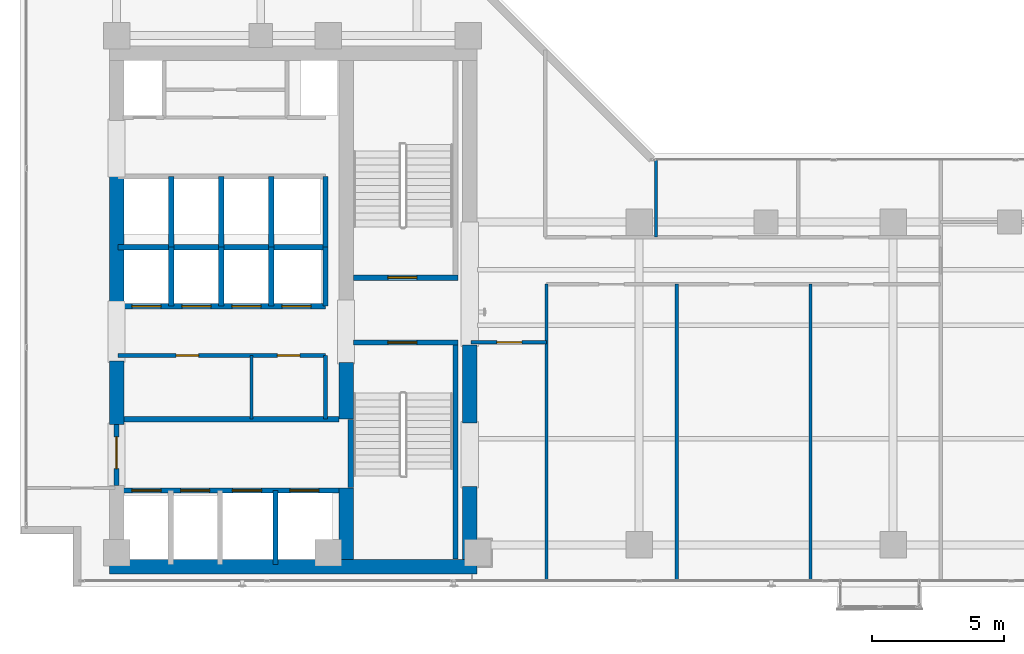
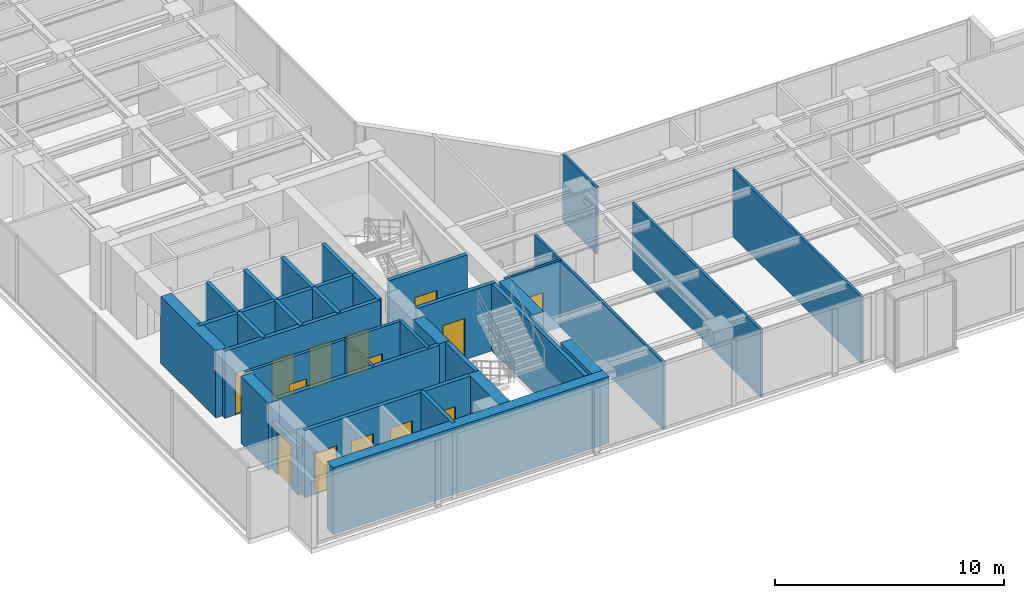
# One storey, part 17 of 24: 33 walls, 14 doors, 14 openings.
"""IFC4 building model written with IfcOpenShell, lengths in metres."""

import ifcopenshell
import ifcopenshell.guid

model = None  # the IFC model being written
_history = None  # IfcOwnerHistory: only IFC2X3 demands one
_inside = {}  # id of a spatial element -> (the spatial element, [elements in it])
_under = {}  # id of a project, library or spatial element -> (it, [spatial elements below it])
_declared = {}  # id of a project -> (the project, [libraries it declares])
_typed = {}  # id of a type object -> (the type object, [elements of that type])
_made_of = {}  # id of a material, layer set ... -> (it, [elements and type objects made of it])


def new_model(schema):
    """Start an empty IFC model of exactly this schema.

    Asked for "IFC4X3", IfcOpenShell would pick the latest addendum, in which some entities
    have other attributes; the version numbers below select the first issue.
    IFC2X3 requires an IfcOwnerHistory on every rooted entity: one is made here for all.
    """
    global model, _history
    if schema == "IFC4X3":
        model = ifcopenshell.file(schema_version=(4, 3, 0, 0))
    else:
        model = ifcopenshell.file(schema=schema)
    _inside.clear()
    _under.clear()
    _declared.clear()
    _typed.clear()
    _made_of.clear()
    _history = None
    if model.schema == "IFC2X3":
        org = make("IfcOrganization", Name="unknown")
        user = make(
            "IfcPersonAndOrganization",
            ThePerson=make("IfcPerson", FamilyName="unknown"),
            TheOrganization=org,
        )
        app = make(
            "IfcApplication",
            ApplicationDeveloper=org,
            Version="unknown",
            ApplicationFullName="unknown",
            ApplicationIdentifier="unknown",
        )
        _history = make(
            "IfcOwnerHistory",
            OwningUser=user,
            OwningApplication=app,
            ChangeAction="ADDED",
            CreationDate=0,
        )
    return model


def make(cls, **values):
    """One entity of the class cls with the attributes given. An attribute that is None is left unset."""
    return model.create_entity(
        cls, **{name: value for name, value in values.items() if value is not None}
    )


def rooted(cls, **values):
    """An entity with a GlobalId (a new one), such as an element, a storey or a relation."""
    return make(cls, GlobalId=ifcopenshell.guid.new(), OwnerHistory=_history, **values)


def si_unit(unit_type, name, prefix=None):
    """IfcSIUnit, for example si_unit("LENGTHUNIT", "METRE", prefix="MILLI")."""
    return make("IfcSIUnit", UnitType=unit_type, Prefix=prefix, Name=name)


def assignment(units):
    """IfcUnitAssignment: the units of a project."""
    return None if units is None else make("IfcUnitAssignment", Units=units)


def point(xyz):
    """IfcCartesianPoint."""
    return None if xyz is None else make("IfcCartesianPoint", Coordinates=xyz)


def direction(xyz):
    """IfcDirection."""
    return None if xyz is None else make("IfcDirection", DirectionRatios=xyz)


def frame(location, z_axis=None, x_axis=None):
    """IfcAxis2Placement3D, a coordinate frame: its origin and axes. An axis left out is left unset."""
    return make(
        "IfcAxis2Placement3D",
        Location=point(location),
        Axis=direction(z_axis),
        RefDirection=direction(x_axis),
    )


def frame_2d(location, x_axis=None):
    """IfcAxis2Placement2D, a coordinate frame in the plane: its origin and x axis."""
    return make(
        "IfcAxis2Placement2D", Location=point(location), RefDirection=direction(x_axis)
    )


def origin():
    """The frame at (0, 0, 0) with its axes left unset."""
    return frame((0.0, 0.0, 0.0))


def place(relative_to, where):
    """IfcLocalPlacement: puts the frame where relative to a parent placement (None: the world)."""
    return make(
        "IfcLocalPlacement", PlacementRelTo=relative_to, RelativePlacement=where
    )


def context(
    kind, dimensions, precision=None, world=None, true_north=None, identifier=None
):
    """IfcGeometricRepresentationContext, for example the 3D "Model" context."""
    return make(
        "IfcGeometricRepresentationContext",
        ContextIdentifier=identifier,
        ContextType=kind,
        CoordinateSpaceDimension=dimensions,
        Precision=precision,
        WorldCoordinateSystem=world,
        TrueNorth=true_north,
    )


def subcontext(parent, identifier, kind, view, scale=None):
    """IfcGeometricRepresentationSubContext, for example "Body" below "Model"."""
    return make(
        "IfcGeometricRepresentationSubContext",
        ContextIdentifier=identifier,
        ContextType=kind,
        ParentContext=parent,
        TargetScale=scale,
        TargetView=view,
    )


def project(units=None, contexts=None):
    """IfcProject with its units and contexts."""
    return rooted(
        "IfcProject",
        Name="project",
        RepresentationContexts=contexts,
        UnitsInContext=assignment(units),
    )


def spatial(cls, under=None, at=None, **own):
    """A site, building, storey or space (cls), placed at a placement, below another one or the project."""
    s = rooted(cls, ObjectPlacement=at, **own)
    if under is not None:
        _under.setdefault(under.id(), (under, []))[1].append(s)
    return s


def profile(cls, at=None, kind="AREA", **sizes):
    """A parametric profile (cls). Its sizes go by their IFC names, for example OverallWidth=200.0."""
    return make(cls, ProfileType=kind, Position=at, **sizes)


def rectangle(**sizes):
    """IfcRectangleProfileDef."""
    return profile("IfcRectangleProfileDef", **sizes)


def extrude(swept, where, along, depth):
    """IfcExtrudedAreaSolid: the profile swept, set in the frame where, extruded along a direction by depth."""
    return make(
        "IfcExtrudedAreaSolid",
        SweptArea=swept,
        Position=where,
        ExtrudedDirection=direction(along),
        Depth=depth,
    )


def shape(context_of_items, identifier, shape_type, items):
    """IfcShapeRepresentation: the items that make up one representation, for example the "Body"."""
    return make(
        "IfcShapeRepresentation",
        ContextOfItems=context_of_items,
        RepresentationIdentifier=identifier,
        RepresentationType=shape_type,
        Items=items,
    )


def material(Name=None, Category=None):
    """IfcMaterial."""
    return make("IfcMaterial", Name=Name, Category=Category)


def layer(
    of_material, thickness, ventilated=None, Name=None, Category=None, Priority=None
):
    """IfcMaterialLayer: one layer of a wall or slab, of a material (None: an air gap)."""
    return make(
        "IfcMaterialLayer",
        Material=of_material,
        LayerThickness=thickness,
        IsVentilated=ventilated,
        Name=Name,
        Category=Category,
        Priority=Priority,
    )


def layer_set(layers, Name=None):
    """IfcMaterialLayerSet."""
    return make("IfcMaterialLayerSet", MaterialLayers=layers, LayerSetName=Name)


def made_of(thing, what):
    """Note that an element or type object is made of a material, layer set ...; save() writes the relation."""
    if what is not None:
        _made_of.setdefault(what.id(), (what, []))[1].append(thing)
    return thing


def type_object(cls, material=None, **own):
    """A type object (cls), such as IfcWallType, which elements share."""
    return made_of(rooted(cls, **own), material)


def element(
    cls,
    number,
    at=None,
    inside=None,
    cuts=None,
    type_object=None,
    material=None,
    context=None,
    identifier="Body",
    shape_type=None,
    held_by="IfcProductDefinitionShape",
    body=None,
    shapes=None,
    **own,
):
    """One element of the class cls, such as IfcWall. Its Tag is "e" and its number.

    at: its placement. inside: the storey or other place that contains it. cuts: it is an
    opening in that element (IfcRelVoidsElement). A single representation is given by context,
    identifier, shape_type and body (its items); several are given by shapes. held_by: the class
    of the entity that holds the representations. save() writes the other relations.
    """
    e = rooted(cls, Tag="e%d" % number, ObjectPlacement=at, **own)
    if body is not None:
        shapes = [shape(context, identifier, shape_type, body)]
    if shapes is not None:
        e.Representation = make(held_by, Representations=shapes)
    if inside is not None:
        _inside.setdefault(inside.id(), (inside, []))[1].append(e)
    if cuts is not None:
        rooted(
            "IfcRelVoidsElement", RelatingBuildingElement=cuts, RelatedOpeningElement=e
        )
    if type_object is not None:
        _typed.setdefault(type_object.id(), (type_object, []))[1].append(e)
    return made_of(e, material)


def fill(opening, filler):
    """IfcRelFillsElement: the door or window that sits in an opening."""
    return rooted(
        "IfcRelFillsElement",
        RelatingOpeningElement=opening,
        RelatedBuildingElement=filler,
    )


def aggregate(whole, parts):
    """IfcRelAggregates: a whole, such as a stair, and the parts it consists of."""
    return rooted("IfcRelAggregates", RelatingObject=whole, RelatedObjects=parts)


def save(model, path):
    """Write the relations noted so far, then the file.

    IfcRelAggregates (storeys below a building ...), IfcRelContainedInSpatialStructure (elements
    in a storey), IfcRelDefinesByType, IfcRelAssociatesMaterial and IfcRelDeclares: one each for
    every whole, place, type object, material and project.
    """
    for whole, parts in _under.values():
        aggregate(whole, parts)
    for where, things in _inside.values():
        rooted(
            "IfcRelContainedInSpatialStructure",
            RelatedElements=things,
            RelatingStructure=where,
        )
    for kind, things in _typed.values():
        rooted("IfcRelDefinesByType", RelatedObjects=things, RelatingType=kind)
    for what, things in _made_of.values():
        rooted("IfcRelAssociatesMaterial", RelatedObjects=things, RelatingMaterial=what)
    for by, libraries in _declared.values():
        rooted("IfcRelDeclares", RelatingContext=by, RelatedDefinitions=libraries)
    model.write(path)


model = new_model("IFC4")

# Units and contexts
model_context = context("Model", 3, precision=1e-05, world=origin(), true_north=direction((0.0, 1.0)))
body_context = subcontext(model_context, "Body", "Model", "MODEL_VIEW")
ifc_project = project(units=[si_unit("LENGTHUNIT", "METRE"), si_unit("AREAUNIT", "SQUARE_METRE"), si_unit("VOLUMEUNIT", "CUBIC_METRE"), si_unit("PLANEANGLEUNIT", "RADIAN"), si_unit("MASSUNIT", "GRAM", prefix="KILO")], contexts=[model_context])

# Site, building, storey
site_placement = place(None, origin())
site = spatial("IfcSite", under=ifc_project, at=site_placement, CompositionType="ELEMENT")
building_placement = place(site_placement, origin())
building = spatial("IfcBuilding", under=site, at=building_placement, Name="Kolvaren Waterfront Exchange", CompositionType="ELEMENT")
storey_placement = place(building_placement, frame((0.0, 0.0, 208.300048828125)))
storey = spatial("IfcBuildingStorey", under=building, at=storey_placement, Name="L53", CompositionType="ELEMENT", Elevation=208.300048828125)

# Wall, opening, door
ifc_material_1 = material(Name="Precast concrete C40/50", Category="concrete")
ifc_layer_1 = layer(ifc_material_1, 0.199951171875, Name="Precast concrete C40/50")
ifc_layer_set_1 = layer_set([ifc_layer_1], Name="Precast concrete C40/50")
wall_type_1 = type_object("IfcWallType", Name="ARC-FIRE-200", PredefinedType="PARTITIONING", material=ifc_layer_set_1)
wall_1_placement = place(storey_placement, frame((16.39990234375, 12.85009765625, 0.0), z_axis=(0.0, 0.0, 1.0), x_axis=(1.0, 0.0, 0.0)))
wall_1 = element("IfcWall", 1, at=wall_1_placement, inside=storey, type_object=wall_type_1, Name="L53 interior wall PW-L53-ST1-THROAT-S", PredefinedType="PARTITIONING", context=body_context, shape_type="SweptSolid", body=[
    extrude(rectangle(XDim=3.960205078125, YDim=0.199951171875, at=frame_2d((1.97998046875, 0.0))), origin(), (0.0, 0.0, 1.0), 3.56005859375),
])
opening_1_placement = place(wall_1_placement, frame((1.3037109375, 0.0, 0.0)))
opening_1 = element("IfcOpeningElement", 2, at=opening_1_placement, cuts=wall_1, Name="Opening FD2", PredefinedType="OPENING", context=body_context, shape_type="SweptSolid", body=[
    extrude(rectangle(XDim=1.10009765625, YDim=2.199951171875, at=frame_2d((0.550048828125, 1.10009765625))), frame((0.0, 0.10986328125, 0.0), z_axis=(0.0, -1.0, 0.0), x_axis=(1.0, 0.0, 0.0)), (0.0, 0.0, 1.0), 0.219970703125),
])
ifc_material_2 = material(Name="Pressed steel smoke-seal fire door", Category="steel")
door_type_1 = type_object("IfcDoorType", Name="ARC-FD-1100", OperationType="NOTDEFINED", PredefinedType="DOOR", material=ifc_material_2)
door_1_placement = place(opening_1_placement, frame((1.10009765625, 0.0, 0.0), z_axis=(0.0, 0.0, 1.0), x_axis=(-1.0, 0.0, 0.0)))
door_1 = element("IfcDoor", 3, at=door_1_placement, inside=storey, type_object=door_type_1, Name="L53 door DR-L53-ST1-IN (FD2)", OperationType="SINGLE_SWING_LEFT", OverallHeight=2.199951171875, OverallWidth=1.10009765625, PredefinedType="DOOR", context=body_context, shape_type="SweptSolid", body=[
    extrude(rectangle(XDim=1.10009765625, YDim=2.199951171875, at=frame_2d((0.550048828125, 1.10009765625))), frame((0.0, 0.02490234375, 0.0), z_axis=(0.0, -1.0, 0.0), x_axis=(1.0, 0.0, 0.0)), (0.0, 0.0, 1.0), 0.050048828125),
])
fill(opening_1, door_1)

wall_2_placement = place(storey_placement, frame((16.409912109375, 15.300048828125, 0.0), z_axis=(0.0, 0.0, 1.0), x_axis=(1.0, 0.0, 0.0)))
wall_2 = element("IfcWall", 4, at=wall_2_placement, inside=storey, type_object=wall_type_1, Name="L53 interior wall PW-L53-ST2-THROAT-N", PredefinedType="PARTITIONING", context=body_context, shape_type="SweptSolid", body=[
    extrude(rectangle(XDim=3.9501953125, YDim=0.199951171875, at=frame_2d((1.97509765625, 0.0))), origin(), (0.0, 0.0, 1.0), 3.56005859375),
])
opening_2_placement = place(wall_2_placement, frame((1.293701171875, 0.0, 0.0)))
opening_2 = element("IfcOpeningElement", 5, at=opening_2_placement, cuts=wall_2, Name="Opening FD2", PredefinedType="OPENING", context=body_context, shape_type="SweptSolid", body=[
    extrude(rectangle(XDim=1.10009765625, YDim=2.199951171875, at=frame_2d((0.550048828125, 1.10009765625))), frame((0.0, 0.10986328125, 0.0), z_axis=(0.0, -1.0, 0.0), x_axis=(1.0, 0.0, 0.0)), (0.0, 0.0, 1.0), 0.219970703125),
])
door_2_placement = place(opening_2_placement, origin())
door_2 = element("IfcDoor", 6, at=door_2_placement, inside=storey, type_object=door_type_1, Name="L53 door DR-L53-ST2-IN (FD2)", OperationType="SINGLE_SWING_RIGHT", OverallHeight=2.199951171875, OverallWidth=1.10009765625, PredefinedType="DOOR", context=body_context, shape_type="SweptSolid", body=[
    extrude(rectangle(XDim=1.10009765625, YDim=2.199951171875, at=frame_2d((0.550048828125, 1.10009765625))), frame((0.0, 0.02490234375, 0.0), z_axis=(0.0, -1.0, 0.0), x_axis=(1.0, 0.0, 0.0)), (0.0, 0.0, 1.0), 0.050048828125),
])
fill(opening_2, door_2)

# Wall
wall_3_placement = place(storey_placement, frame((7.5, 9.949951171875, 0.0), z_axis=(0.0, 0.0, 1.0), x_axis=(1.0, 0.0, 0.0)))
element("IfcWall", 7, at=wall_3_placement, inside=storey, type_object=wall_type_1, Name="L53 interior wall PW-L53-FF-N", PredefinedType="PARTITIONING", context=body_context, shape_type="SweptSolid", body=[
    extrude(rectangle(XDim=8.35009765625, YDim=0.199951171875, at=frame_2d((4.175048828125, 0.0))), origin(), (0.0, 0.0, 1.0), 3.56005859375),
])

# Wall, opening, door
wall_4_placement = place(storey_placement, frame((7.449951171875, 7.449951171875, 0.0), z_axis=(0.0, 0.0, 1.0), x_axis=(0.0, 1.0, 0.0)))
wall_4 = element("IfcWall", 8, at=wall_4_placement, inside=storey, type_object=wall_type_1, Name="L53 interior wall PW-L53-FF-W-DOOR", PredefinedType="PARTITIONING", context=body_context, shape_type="SweptSolid", body=[
    extrude(rectangle(XDim=2.300048828125, YDim=0.199951171875, at=frame_2d((1.14990234375, 0.0))), origin(), (0.0, 0.0, 1.0), 2.5400390625),
])
opening_3_placement = place(wall_4_placement, frame((0.63330078125, 0.0, 0.0)))
opening_3 = element("IfcOpeningElement", 9, at=opening_3_placement, cuts=wall_4, Name="Opening FD3", PredefinedType="OPENING", context=body_context, shape_type="SweptSolid", body=[
    extrude(rectangle(XDim=1.199951171875, YDim=2.25, at=frame_2d((0.60009765625, 1.125))), frame((0.0, 0.10986328125, 0.0), z_axis=(0.0, -1.0, 0.0), x_axis=(1.0, 0.0, 0.0)), (0.0, 0.0, 1.0), 0.219970703125),
])
ifc_material_3 = material(Name="Pressed steel fire door", Category="steel")
door_type_2 = type_object("IfcDoorType", Name="ARC-FD-1200", OperationType="NOTDEFINED", PredefinedType="DOOR", material=ifc_material_3)
door_3_placement = place(opening_3_placement, frame((1.199951171875, 0.0, 0.0), z_axis=(0.0, 0.0, 1.0), x_axis=(-1.0, 0.0, 0.0)))
door_3 = element("IfcDoor", 10, at=door_3_placement, inside=storey, type_object=door_type_2, Name="L53 door DR-L53-FF-OUT (FD3)", OperationType="SINGLE_SWING_LEFT", OverallHeight=2.25, OverallWidth=1.199951171875, PredefinedType="DOOR", context=body_context, shape_type="SweptSolid", body=[
    extrude(rectangle(XDim=1.199951171875, YDim=2.25, at=frame_2d((0.60009765625, 1.125))), frame((0.0, 0.02490234375, 0.0), z_axis=(0.0, -1.0, 0.0), x_axis=(1.0, 0.0, 0.0)), (0.0, 0.0, 1.0), 0.050048828125),
])
fill(opening_3, door_3)

# Wall
ifc_material_4 = material(Name="Acoustic gypsum steel stud", Category="steel")
ifc_layer_2 = layer(ifc_material_4, 0.125, Name="Acoustic gypsum steel stud")
ifc_layer_set_2 = layer_set([ifc_layer_2], Name="Acoustic gypsum steel stud")
wall_type_2 = type_object("IfcWallType", Name="ARC-PART-125", PredefinedType="PARTITIONING", material=ifc_layer_set_2)
wall_5_placement = place(storey_placement, frame((12.550048828125, 9.949951171875, 0.0), z_axis=(0.0, 0.0, 1.0), x_axis=(0.0, 1.0, 0.0)))
element("IfcWall", 11, at=wall_5_placement, inside=storey, type_object=wall_type_2, Name="L53 interior wall PW-L53-REC-PL-MID", PredefinedType="PARTITIONING", context=body_context, shape_type="SweptSolid", body=[
    extrude(rectangle(XDim=2.41015625, YDim=0.125, at=frame_2d((1.205078125, 0.0))), origin(), (0.0, 0.0, 1.0), 3.56005859375),
])

# Wall, opening, door
wall_6_placement = place(storey_placement, frame((20.85009765625, 12.860107421875, 0.0), z_axis=(0.0, 0.0, 1.0), x_axis=(1.0, 0.0, 0.0)))
wall_6 = element("IfcWall", 12, at=wall_6_placement, inside=storey, type_object=wall_type_2, Name="L53 interior wall PW-L53-SWST3-N", PredefinedType="PARTITIONING", context=body_context, shape_type="SweptSolid", body=[
    extrude(rectangle(XDim=2.849853515625, YDim=0.125, at=frame_2d((1.4248046875, 0.0))), origin(), (0.0, 0.0, 1.0), 3.56005859375),
])
opening_4_placement = place(wall_6_placement, frame((0.971435546875, 0.0, 0.0)))
opening_4 = element("IfcOpeningElement", 13, at=opening_4_placement, cuts=wall_6, Name="Opening D02", PredefinedType="OPENING", context=body_context, shape_type="SweptSolid", body=[
    extrude(rectangle(XDim=0.949951171875, YDim=2.14990234375, at=frame_2d((0.47509765625, 1.074951171875))), frame((0.0, 0.072509765625, 0.0), z_axis=(0.0, -1.0, 0.0), x_axis=(1.0, 0.0, 0.0)), (0.0, 0.0, 1.0), 0.14501953125),
])
ifc_material_5 = material(Name="Oak veneer acoustic timber", Category="wood")
door_type_3 = type_object("IfcDoorType", Name="ARC-DR-950", OperationType="NOTDEFINED", PredefinedType="DOOR", material=ifc_material_5)
door_4_placement = place(opening_4_placement, origin())
door_4 = element("IfcDoor", 14, at=door_4_placement, inside=storey, type_object=door_type_3, Name="L53 door DR-L53-SWST3-D (D02)", OperationType="SINGLE_SWING_LEFT", OverallHeight=2.14990234375, OverallWidth=0.949951171875, PredefinedType="DOOR", context=body_context, shape_type="SweptSolid", body=[
    extrude(rectangle(XDim=0.949951171875, YDim=2.14990234375, at=frame_2d((0.47509765625, 1.074951171875))), frame((0.0, 0.02490234375, 0.0), z_axis=(0.0, -1.0, 0.0), x_axis=(1.0, 0.0, 0.0)), (0.0, 0.0, 1.0), 0.050048828125),
])
fill(opening_4, door_4)

# Walls
for number, where, z_axis, x_axis, name in (
    (15, (23.699951171875, 3.840087890625, 0.0), (0.0, 0.0, 1.0), (0.0, 1.0, 0.0), "L53 interior wall PW-L53-ES-W0"),
    (16, (28.6201171875, 3.840087890625, 0.0), (0.0, 0.0, 1.0), (0.0, 1.0, 0.0), "L53 interior wall PW-L53-ES-DIV-1"),
    (17, (33.679931640625, 3.840087890625, 0.0), (0.0, 0.0, 1.0), (0.0, 1.0, 0.0), "L53 interior wall PW-L53-ES-DIV-2"),
):
    element("IfcWall", number, at=place(storey_placement, frame(where, z_axis=z_axis, x_axis=x_axis)), inside=storey, type_object=wall_type_2, Name=name, PredefinedType="PARTITIONING", context=body_context, shape_type="SweptSolid", body=[
        extrude(rectangle(XDim=11.2099609375, YDim=0.125, at=frame_2d((5.60498046875, 0.0))), origin(), (0.0, 0.0, 1.0), 3.56005859375),
    ])
wall_7_placement = place(storey_placement, frame((27.840087890625, 16.830078125, 0.0), z_axis=(0.0, 0.0, 1.0), x_axis=(0.0, 1.0, 0.0)))
element("IfcWall", 18, at=wall_7_placement, inside=storey, type_object=wall_type_2, Name="L53 interior wall PW-L53-EN-DIV-1", PredefinedType="PARTITIONING", context=body_context, shape_type="SweptSolid", body=[
    extrude(rectangle(XDim=2.929931640625, YDim=0.125, at=frame_2d((1.46484375, 0.0))), origin(), (0.0, 0.0, 1.0), 3.56005859375),
])

# Wall, openings, doors
ifc_material_6 = material(Name="Gypsum fireboard steel stud", Category="steel")
ifc_layer_3 = layer(ifc_material_6, 0.14990234375, Name="Gypsum fireboard steel stud")
ifc_layer_set_3 = layer_set([ifc_layer_3], Name="Gypsum fireboard steel stud")
wall_type_3 = type_object("IfcWallType", Name="ARC-PART-150", PredefinedType="PARTITIONING", material=ifc_layer_set_3)
wall_8_placement = place(storey_placement, frame((7.5, 12.360107421875, 0.0), z_axis=(0.0, 0.0, 1.0), x_axis=(1.0, 0.0, 0.0)))
wall_8 = element("IfcWall", 19, at=wall_8_placement, inside=storey, type_object=wall_type_3, Name="L53 interior wall PW-L53-REC-PL-N", PredefinedType="PARTITIONING", context=body_context, shape_type="SweptSolid", body=[
    extrude(rectangle(XDim=7.85009765625, YDim=0.14990234375, at=frame_2d((3.925048828125, 0.0))), origin(), (0.0, 0.0, 1.0), 3.56005859375),
])
opening_5_placement = place(wall_8_placement, frame((2.202392578125, 0.0, 0.0)))
opening_5 = element("IfcOpeningElement", 20, at=opening_5_placement, cuts=wall_8, Name="Opening D01", PredefinedType="OPENING", context=body_context, shape_type="SweptSolid", body=[
    extrude(rectangle(XDim=0.85009765625, YDim=2.14990234375, at=frame_2d((0.425048828125, 1.074951171875))), frame((0.0, 0.0849609375, 0.0), z_axis=(0.0, -1.0, 0.0), x_axis=(1.0, 0.0, 0.0)), (0.0, 0.0, 1.0), 0.169921875),
])
opening_6_placement = place(wall_8_placement, frame((6.02490234375, 0.0, 0.0)))
opening_6 = element("IfcOpeningElement", 21, at=opening_6_placement, cuts=wall_8, Name="Opening D01", PredefinedType="OPENING", context=body_context, shape_type="SweptSolid", body=[
    extrude(rectangle(XDim=0.85009765625, YDim=2.14990234375, at=frame_2d((0.425048828125, 1.074951171875))), frame((0.0, 0.0849609375, 0.0), z_axis=(0.0, -1.0, 0.0), x_axis=(1.0, 0.0, 0.0)), (0.0, 0.0, 1.0), 0.169921875),
])
ifc_material_7 = material(Name="Oak veneer timber leaf", Category="wood")
door_type_4 = type_object("IfcDoorType", Name="ARC-DR-900", OperationType="NOTDEFINED", PredefinedType="DOOR", material=ifc_material_7)
door_5_placement = place(opening_5_placement, origin())
door_5 = element("IfcDoor", 22, at=door_5_placement, inside=storey, type_object=door_type_4, Name="L53 door DR-L53-REC-PL-D1 (D01)", OperationType="SINGLE_SWING_RIGHT", OverallHeight=2.14990234375, OverallWidth=0.85009765625, PredefinedType="DOOR", context=body_context, shape_type="SweptSolid", body=[
    extrude(rectangle(XDim=0.85009765625, YDim=2.14990234375, at=frame_2d((0.425048828125, 1.074951171875))), frame((0.0, 0.02490234375, 0.0), z_axis=(0.0, -1.0, 0.0), x_axis=(1.0, 0.0, 0.0)), (0.0, 0.0, 1.0), 0.050048828125),
])
fill(opening_5, door_5)
door_6_placement = place(opening_6_placement, origin())
door_6 = element("IfcDoor", 23, at=door_6_placement, inside=storey, type_object=door_type_4, Name="L53 door DR-L53-REC-PL-D2 (D01)", OperationType="SINGLE_SWING_LEFT", OverallHeight=2.14990234375, OverallWidth=0.85009765625, PredefinedType="DOOR", context=body_context, shape_type="SweptSolid", body=[
    extrude(rectangle(XDim=0.85009765625, YDim=2.14990234375, at=frame_2d((0.425048828125, 1.074951171875))), frame((0.0, 0.02490234375, 0.0), z_axis=(0.0, -1.0, 0.0), x_axis=(1.0, 0.0, 0.0)), (0.0, 0.0, 1.0), 0.050048828125),
])
fill(opening_6, door_6)

# Walls
wall_9_placement = place(storey_placement, frame((15.35009765625, 9.949951171875, 0.0), z_axis=(0.0, 0.0, 1.0), x_axis=(0.0, 1.0, 0.0)))
element("IfcWall", 24, at=wall_9_placement, inside=storey, type_object=wall_type_3, Name="L53 interior wall PW-L53-REC-PL-E", PredefinedType="PARTITIONING", context=body_context, shape_type="SweptSolid", body=[
    extrude(rectangle(XDim=2.41015625, YDim=0.14990234375, at=frame_2d((1.205078125, 0.0))), origin(), (0.0, 0.0, 1.0), 3.56005859375),
])
ifc_material_8 = material(Name="Concrete C40/50", Category="concrete")
ifc_layer_4 = layer(ifc_material_8, 0.199951171875, Name="Concrete C40/50")
ifc_layer_set_4 = layer_set([ifc_layer_4], Name="Concrete C40/50")
wall_type_4 = type_object("IfcWallType", Name="ARC-SHAFT-200", PredefinedType="PARTITIONING", material=ifc_layer_set_4)
wall_10_placement = place(storey_placement, frame((16.300048828125, 7.360107421875, 0.0), z_axis=(0.0, 0.0, 1.0), x_axis=(0.0, 1.0, 0.0)))
element("IfcWall", 25, at=wall_10_placement, inside=storey, type_object=wall_type_4, Name="L53 structural stairwell wall PW-L53-ST1-W", PredefinedType="SHEAR", context=body_context, shape_type="SweptSolid", body=[
    extrude(rectangle(XDim=2.579833984375, YDim=0.199951171875, at=frame_2d((1.2900390625, 0.0))), origin(), (0.0, 0.0, 1.0), 3.56005859375),
])
wall_11_placement = place(storey_placement, frame((20.260009765625, 4.659912109375, 0.0), z_axis=(0.0, 0.0, 1.0), x_axis=(0.0, 1.0, 0.0)))
element("IfcWall", 26, at=wall_11_placement, inside=storey, type_object=wall_type_4, Name="L53 structural stairwell wall PW-L53-ST1-E", PredefinedType="SHEAR", context=body_context, shape_type="SweptSolid", body=[
    extrude(rectangle(XDim=8.090087890625, YDim=0.199951171875, at=frame_2d((4.044921875, 0.0))), origin(), (0.0, 0.0, 1.0), 3.56005859375),
])

# Wall, openings, doors
wall_12_placement = place(storey_placement, frame((7.5, 7.25, 0.0), z_axis=(0.0, 0.0, 1.0), x_axis=(1.0, 0.0, 0.0)))
wall_12 = element("IfcWall", 27, at=wall_12_placement, inside=storey, type_object=wall_type_4, Name="L53 interior wall PW-L53-FF-S", PredefinedType="PARTITIONING", context=body_context, shape_type="SweptSolid", body=[
    extrude(rectangle(XDim=8.35009765625, YDim=0.199951171875, at=frame_2d((4.175048828125, 0.0))), origin(), (0.0, 0.0, 1.0), 3.56005859375),
])
opening_7_placement = place(wall_12_placement, frame((0.530029296875, 0.0, 0.0)))
opening_7 = element("IfcOpeningElement", 28, at=opening_7_placement, cuts=wall_12, Name="Opening LD1", PredefinedType="OPENING", context=body_context, shape_type="SweptSolid", body=[
    extrude(rectangle(XDim=1.10009765625, YDim=2.199951171875, at=frame_2d((0.550048828125, 1.10009765625))), frame((0.0, 0.10986328125, 0.0), z_axis=(0.0, -1.0, 0.0), x_axis=(1.0, 0.0, 0.0)), (0.0, 0.0, 1.0), 0.219970703125),
])
opening_8_placement = place(wall_12_placement, frame((2.3701171875, 0.0, 0.0)))
opening_8 = element("IfcOpeningElement", 29, at=opening_8_placement, cuts=wall_12, Name="Opening LD1", PredefinedType="OPENING", context=body_context, shape_type="SweptSolid", body=[
    extrude(rectangle(XDim=1.10009765625, YDim=2.199951171875, at=frame_2d((0.550048828125, 1.10009765625))), frame((0.0, 0.10986328125, 0.0), z_axis=(0.0, -1.0, 0.0), x_axis=(1.0, 0.0, 0.0)), (0.0, 0.0, 1.0), 0.219970703125),
])
opening_9_placement = place(wall_12_placement, frame((4.330078125, 0.0, 0.0)))
opening_9 = element("IfcOpeningElement", 30, at=opening_9_placement, cuts=wall_12, Name="Opening LD1", PredefinedType="OPENING", context=body_context, shape_type="SweptSolid", body=[
    extrude(rectangle(XDim=1.10009765625, YDim=2.199951171875, at=frame_2d((0.550048828125, 1.10009765625))), frame((0.0, 0.10986328125, 0.0), z_axis=(0.0, -1.0, 0.0), x_axis=(1.0, 0.0, 0.0)), (0.0, 0.0, 1.0), 0.219970703125),
])
opening_10_placement = place(wall_12_placement, frame((6.5, 0.0, 0.0)))
opening_10 = element("IfcOpeningElement", 31, at=opening_10_placement, cuts=wall_12, Name="Opening LD1", PredefinedType="OPENING", context=body_context, shape_type="SweptSolid", body=[
    extrude(rectangle(XDim=1.10009765625, YDim=2.199951171875, at=frame_2d((0.550048828125, 1.10009765625))), frame((0.0, 0.10986328125, 0.0), z_axis=(0.0, -1.0, 0.0), x_axis=(1.0, 0.0, 0.0)), (0.0, 0.0, 1.0), 0.219970703125),
])
ifc_material_9 = material(Name="Stainless steel sliding landing door", Category="steel")
door_type_5 = type_object("IfcDoorType", Name="ARC-LD-FF", OperationType="SLIDING_TO_LEFT", PredefinedType="DOOR", material=ifc_material_9)
door_7_placement = place(opening_7_placement, origin())
door_7 = element("IfcDoor", 32, at=door_7_placement, inside=storey, type_object=door_type_5, Name="L53 door LD-L53-FFL1 (LD1)", OperationType="SLIDING_TO_LEFT", OverallHeight=2.199951171875, OverallWidth=1.10009765625, PredefinedType="DOOR", context=body_context, shape_type="SweptSolid", body=[
    extrude(rectangle(XDim=1.10009765625, YDim=2.199951171875, at=frame_2d((0.550048828125, 1.10009765625))), frame((0.0, 0.02490234375, 0.0), z_axis=(0.0, -1.0, 0.0), x_axis=(1.0, 0.0, 0.0)), (0.0, 0.0, 1.0), 0.050048828125),
])
fill(opening_7, door_7)
door_8_placement = place(opening_8_placement, origin())
door_8 = element("IfcDoor", 33, at=door_8_placement, inside=storey, type_object=door_type_5, Name="L53 door LD-L53-FFL2 (LD1)", OperationType="SLIDING_TO_LEFT", OverallHeight=2.199951171875, OverallWidth=1.10009765625, PredefinedType="DOOR", context=body_context, shape_type="SweptSolid", body=[
    extrude(rectangle(XDim=1.10009765625, YDim=2.199951171875, at=frame_2d((0.550048828125, 1.10009765625))), frame((0.0, 0.02490234375, 0.0), z_axis=(0.0, -1.0, 0.0), x_axis=(1.0, 0.0, 0.0)), (0.0, 0.0, 1.0), 0.050048828125),
])
fill(opening_8, door_8)
door_9_placement = place(opening_9_placement, origin())
door_9 = element("IfcDoor", 34, at=door_9_placement, inside=storey, type_object=door_type_5, Name="L53 door LD-L53-GL1 (LD1)", OperationType="SLIDING_TO_LEFT", OverallHeight=2.199951171875, OverallWidth=1.10009765625, PredefinedType="DOOR", context=body_context, shape_type="SweptSolid", body=[
    extrude(rectangle(XDim=1.10009765625, YDim=2.199951171875, at=frame_2d((0.550048828125, 1.10009765625))), frame((0.0, 0.02490234375, 0.0), z_axis=(0.0, -1.0, 0.0), x_axis=(1.0, 0.0, 0.0)), (0.0, 0.0, 1.0), 0.050048828125),
])
fill(opening_9, door_9)
door_10_placement = place(opening_10_placement, origin())
door_10 = element("IfcDoor", 35, at=door_10_placement, inside=storey, type_object=door_type_5, Name="L53 door LD-L53-GL2 (LD1)", OperationType="SLIDING_TO_LEFT", OverallHeight=2.199951171875, OverallWidth=1.10009765625, PredefinedType="DOOR", context=body_context, shape_type="SweptSolid", body=[
    extrude(rectangle(XDim=1.10009765625, YDim=2.199951171875, at=frame_2d((0.550048828125, 1.10009765625))), frame((0.0, 0.02490234375, 0.0), z_axis=(0.0, -1.0, 0.0), x_axis=(1.0, 0.0, 0.0)), (0.0, 0.0, 1.0), 0.050048828125),
])
fill(opening_10, door_10)

# Wall
wall_13_placement = place(storey_placement, frame((13.4599609375, 4.449951171875, 0.0), z_axis=(0.0, 0.0, 1.0), x_axis=(0.0, 1.0, 0.0)))
element("IfcWall", 36, at=wall_13_placement, inside=storey, type_object=wall_type_4, Name="L53 interior wall PW-L53-SH1-DIV-134", PredefinedType="PARTITIONING", context=body_context, shape_type="SweptSolid", body=[
    extrude(rectangle(XDim=2.800048828125, YDim=0.199951171875, at=frame_2d((1.39990234375, 0.0))), origin(), (0.0, 0.0, 1.0), 3.56005859375),
])

# Wall, openings, doors
wall_14_placement = place(storey_placement, frame((7.5, 14.219970703125, 0.0), z_axis=(0.0, 0.0, 1.0), x_axis=(1.0, 0.0, 0.0)))
wall_14 = element("IfcWall", 37, at=wall_14_placement, inside=storey, type_object=wall_type_4, Name="L53 interior wall PW-L53-PM-S", PredefinedType="PARTITIONING", context=body_context, shape_type="SweptSolid", body=[
    extrude(rectangle(XDim=7.85009765625, YDim=0.199951171875, at=frame_2d((3.925048828125, 0.0))), origin(), (0.0, 0.0, 1.0), 3.56005859375),
])
opening_11_placement = place(wall_14_placement, frame((0.530029296875, 0.0, 0.0)))
opening_11 = element("IfcOpeningElement", 38, at=opening_11_placement, cuts=wall_14, Name="Opening LD2", PredefinedType="OPENING", context=body_context, shape_type="SweptSolid", body=[
    extrude(rectangle(XDim=1.10009765625, YDim=2.199951171875, at=frame_2d((0.550048828125, 1.10009765625))), frame((0.0, 0.10986328125, 0.0), z_axis=(0.0, -1.0, 0.0), x_axis=(1.0, 0.0, 0.0)), (0.0, 0.0, 1.0), 0.219970703125),
])
opening_12_placement = place(wall_14_placement, frame((2.419921875, 0.0, 0.0)))
opening_12 = element("IfcOpeningElement", 39, at=opening_12_placement, cuts=wall_14, Name="Opening LD2", PredefinedType="OPENING", context=body_context, shape_type="SweptSolid", body=[
    extrude(rectangle(XDim=1.10009765625, YDim=2.199951171875, at=frame_2d((0.550048828125, 1.10009765625))), frame((0.0, 0.10986328125, 0.0), z_axis=(0.0, -1.0, 0.0), x_axis=(1.0, 0.0, 0.0)), (0.0, 0.0, 1.0), 0.219970703125),
])
opening_13_placement = place(wall_14_placement, frame((4.31005859375, 0.0, 0.0)))
opening_13 = element("IfcOpeningElement", 40, at=opening_13_placement, cuts=wall_14, Name="Opening LD2", PredefinedType="OPENING", context=body_context, shape_type="SweptSolid", body=[
    extrude(rectangle(XDim=1.10009765625, YDim=2.199951171875, at=frame_2d((0.550048828125, 1.10009765625))), frame((0.0, 0.10986328125, 0.0), z_axis=(0.0, -1.0, 0.0), x_axis=(1.0, 0.0, 0.0)), (0.0, 0.0, 1.0), 0.219970703125),
])
opening_14_placement = place(wall_14_placement, frame((6.199951171875, 0.0, 0.0)))
opening_14 = element("IfcOpeningElement", 41, at=opening_14_placement, cuts=wall_14, Name="Opening LD2", PredefinedType="OPENING", context=body_context, shape_type="SweptSolid", body=[
    extrude(rectangle(XDim=1.10009765625, YDim=2.199951171875, at=frame_2d((0.550048828125, 1.10009765625))), frame((0.0, 0.10986328125, 0.0), z_axis=(0.0, -1.0, 0.0), x_axis=(1.0, 0.0, 0.0)), (0.0, 0.0, 1.0), 0.219970703125),
])
ifc_material_10 = material(Name="Brushed bronze sliding landing door", Category="aluminium")
door_type_6 = type_object("IfcDoorType", Name="ARC-LD-PAX", OperationType="SLIDING_TO_LEFT", PredefinedType="DOOR", material=ifc_material_10)
door_11_placement = place(opening_11_placement, frame((1.10009765625, 0.0, 0.0), z_axis=(0.0, 0.0, 1.0), x_axis=(-1.0, 0.0, 0.0)))
door_11 = element("IfcDoor", 42, at=door_11_placement, inside=storey, type_object=door_type_6, Name="L53 door LD-L53-PM1 (LD2)", OperationType="SLIDING_TO_LEFT", OverallHeight=2.199951171875, OverallWidth=1.10009765625, PredefinedType="DOOR", context=body_context, shape_type="SweptSolid", body=[
    extrude(rectangle(XDim=1.10009765625, YDim=2.199951171875, at=frame_2d((0.550048828125, 1.10009765625))), frame((0.0, 0.02490234375, 0.0), z_axis=(0.0, -1.0, 0.0), x_axis=(1.0, 0.0, 0.0)), (0.0, 0.0, 1.0), 0.050048828125),
])
fill(opening_11, door_11)
door_12_placement = place(opening_12_placement, frame((1.10009765625, 0.0, 0.0), z_axis=(0.0, 0.0, 1.0), x_axis=(-1.0, 0.0, 0.0)))
door_12 = element("IfcDoor", 43, at=door_12_placement, inside=storey, type_object=door_type_6, Name="L53 door LD-L53-PM2 (LD2)", OperationType="SLIDING_TO_LEFT", OverallHeight=2.199951171875, OverallWidth=1.10009765625, PredefinedType="DOOR", context=body_context, shape_type="SweptSolid", body=[
    extrude(rectangle(XDim=1.10009765625, YDim=2.199951171875, at=frame_2d((0.550048828125, 1.10009765625))), frame((0.0, 0.02490234375, 0.0), z_axis=(0.0, -1.0, 0.0), x_axis=(1.0, 0.0, 0.0)), (0.0, 0.0, 1.0), 0.050048828125),
])
fill(opening_12, door_12)
door_13_placement = place(opening_13_placement, frame((1.10009765625, 0.0, 0.0), z_axis=(0.0, 0.0, 1.0), x_axis=(-1.0, 0.0, 0.0)))
door_13 = element("IfcDoor", 44, at=door_13_placement, inside=storey, type_object=door_type_6, Name="L53 door LD-L53-PM3 (LD2)", OperationType="SLIDING_TO_LEFT", OverallHeight=2.199951171875, OverallWidth=1.10009765625, PredefinedType="DOOR", context=body_context, shape_type="SweptSolid", body=[
    extrude(rectangle(XDim=1.10009765625, YDim=2.199951171875, at=frame_2d((0.550048828125, 1.10009765625))), frame((0.0, 0.02490234375, 0.0), z_axis=(0.0, -1.0, 0.0), x_axis=(1.0, 0.0, 0.0)), (0.0, 0.0, 1.0), 0.050048828125),
])
fill(opening_13, door_13)
door_14_placement = place(opening_14_placement, frame((1.10009765625, 0.0, 0.0), z_axis=(0.0, 0.0, 1.0), x_axis=(-1.0, 0.0, 0.0)))
door_14 = element("IfcDoor", 45, at=door_14_placement, inside=storey, type_object=door_type_6, Name="L53 door LD-L53-PM4 (LD2)", OperationType="SLIDING_TO_LEFT", OverallHeight=2.199951171875, OverallWidth=1.10009765625, PredefinedType="DOOR", context=body_context, shape_type="SweptSolid", body=[
    extrude(rectangle(XDim=1.10009765625, YDim=2.199951171875, at=frame_2d((0.550048828125, 1.10009765625))), frame((0.0, 0.02490234375, 0.0), z_axis=(0.0, -1.0, 0.0), x_axis=(1.0, 0.0, 0.0)), (0.0, 0.0, 1.0), 0.050048828125),
])
fill(opening_14, door_14)

# Walls
wall_15_placement = place(storey_placement, frame((7.5, 16.449951171875, 0.0), z_axis=(0.0, 0.0, 1.0), x_axis=(1.0, 0.0, 0.0)))
element("IfcWall", 46, at=wall_15_placement, inside=storey, type_object=wall_type_4, Name="L53 interior wall PW-L53-PM-N", PredefinedType="PARTITIONING", context=body_context, shape_type="SweptSolid", body=[
    extrude(rectangle(XDim=7.85009765625, YDim=0.199951171875, at=frame_2d((3.925048828125, 0.0))), origin(), (0.0, 0.0, 1.0), 3.56005859375),
])
for number, where, z_axis, x_axis, name in (
    (47, (15.35009765625, 14.219970703125, 0.0), (0.0, 0.0, 1.0), (0.0, 1.0, 0.0), "L53 interior wall PW-L53-PM-E"),
    (48, (9.52001953125, 14.219970703125, 0.0), (0.0, 0.0, 1.0), (0.0, 1.0, 0.0), "L53 interior wall PW-L53-SH3-DIV-95"),
    (49, (11.409912109375, 14.219970703125, 0.0), (0.0, 0.0, 1.0), (0.0, 1.0, 0.0), "L53 interior wall PW-L53-SH3-DIV-114"),
    (50, (13.300048828125, 14.219970703125, 0.0), (0.0, 0.0, 1.0), (0.0, 1.0, 0.0), "L53 interior wall PW-L53-SH3-DIV-133"),
):
    element("IfcWall", number, at=place(storey_placement, frame(where, z_axis=z_axis, x_axis=x_axis)), inside=storey, type_object=wall_type_4, Name=name, PredefinedType="PARTITIONING", context=body_context, shape_type="SweptSolid", body=[
        extrude(rectangle(XDim=2.22998046875, YDim=0.199951171875, at=frame_2d((1.114990234375, 0.0))), origin(), (0.0, 0.0, 1.0), 3.56005859375),
    ])
for number, where, z_axis, x_axis, name in (
    (51, (15.35009765625, 16.449951171875, 0.0), (0.0, 0.0, 1.0), (0.0, 1.0, 0.0), "L53 interior wall PW-L53-PH-E"),
    (52, (9.52001953125, 16.449951171875, 0.0), (0.0, 0.0, 1.0), (0.0, 1.0, 0.0), "L53 interior wall PW-L53-SH4-DIV-95"),
    (53, (11.409912109375, 16.449951171875, 0.0), (0.0, 0.0, 1.0), (0.0, 1.0, 0.0), "L53 interior wall PW-L53-SH4-DIV-114"),
    (54, (13.300048828125, 16.449951171875, 0.0), (0.0, 0.0, 1.0), (0.0, 1.0, 0.0), "L53 interior wall PW-L53-SH4-DIV-133"),
):
    element("IfcWall", number, at=place(storey_placement, frame(where, z_axis=z_axis, x_axis=x_axis)), inside=storey, type_object=wall_type_4, Name=name, PredefinedType="PARTITIONING", context=body_context, shape_type="SweptSolid", body=[
        extrude(rectangle(XDim=2.670166015625, YDim=0.199951171875, at=frame_2d((1.3349609375, 0.0))), origin(), (0.0, 0.0, 1.0), 3.56005859375),
    ])
ifc_material_11 = material(Name="Concrete C50/60", Category="concrete")
ifc_layer_5 = layer(ifc_material_11, 0.550048828125, Name="Concrete C50/60")
ifc_layer_set_5 = layer_set([ifc_layer_5], Name="Concrete C50/60")
wall_type_5 = type_object("IfcWallType", Name="STR-CWALL-550", PredefinedType="SHEAR", material=ifc_layer_set_5)
wall_16_placement = place(storey_placement, frame((7.175048828125, 4.375, 0.0), z_axis=(0.0, 0.0, 1.0), x_axis=(1.0, 0.0, 0.0)))
element("IfcWall", 55, at=wall_16_placement, inside=storey, type_object=wall_type_5, Name="L53 rear-core shear wall S", PredefinedType="SHEAR", context=body_context, shape_type="SweptSolid", body=[
    extrude(rectangle(XDim=13.89990234375, YDim=0.550048828125, at=frame_2d((6.949951171875, 0.0))), origin(), (0.0, 0.0, 1.0), 3.56005859375),
])
wall_17_placement = place(storey_placement, frame((7.449951171875, 9.75, 0.0), z_axis=(0.0, 0.0, 1.0), x_axis=(0.0, 1.0, 0.0)))
element("IfcWall", 56, at=wall_17_placement, inside=storey, type_object=wall_type_5, Name="L53 rear-core shear wall W2A", PredefinedType="SHEAR", context=body_context, shape_type="SweptSolid", body=[
    extrude(rectangle(XDim=2.39990234375, YDim=0.550048828125, at=frame_2d((1.199951171875, 0.0))), origin(), (0.0, 0.0, 1.0), 3.56005859375),
])
wall_18_placement = place(storey_placement, frame((7.449951171875, 14.35009765625, 0.0), z_axis=(0.0, 0.0, 1.0), x_axis=(0.0, 1.0, 0.0)))
element("IfcWall", 57, at=wall_18_placement, inside=storey, type_object=wall_type_5, Name="L53 rear-core shear wall W2B", PredefinedType="SHEAR", context=body_context, shape_type="SweptSolid", body=[
    extrude(rectangle(XDim=4.809814453125, YDim=0.550048828125, at=frame_2d((2.40478515625, 0.0))), origin(), (0.0, 0.0, 1.0), 3.56005859375),
])
wall_19_placement = place(storey_placement, frame((20.800048828125, 4.64990234375, 0.0), z_axis=(0.0, 0.0, 1.0), x_axis=(0.0, 1.0, 0.0)))
element("IfcWall", 58, at=wall_19_placement, inside=storey, type_object=wall_type_5, Name="L53 rear-core shear wall E1", PredefinedType="SHEAR", context=body_context, shape_type="SweptSolid", body=[
    extrude(rectangle(XDim=2.75, YDim=0.550048828125, at=frame_2d((1.375, 0.0))), origin(), (0.0, 0.0, 1.0), 3.56005859375),
])
wall_20_placement = place(storey_placement, frame((20.800048828125, 9.800048828125, 0.0), z_axis=(0.0, 0.0, 1.0), x_axis=(0.0, 1.0, 0.0)))
element("IfcWall", 59, at=wall_20_placement, inside=storey, type_object=wall_type_5, Name="L53 rear-core shear wall E2", PredefinedType="SHEAR", context=body_context, shape_type="SweptSolid", body=[
    extrude(rectangle(XDim=2.949951171875, YDim=0.550048828125, at=frame_2d((1.47509765625, 0.0))), origin(), (0.0, 0.0, 1.0), 3.56005859375),
])
wall_21_placement = place(storey_placement, frame((16.125, 4.64990234375, 0.0), z_axis=(0.0, 0.0, 1.0), x_axis=(0.0, 1.0, 0.0)))
element("IfcWall", 60, at=wall_21_placement, inside=storey, type_object=wall_type_5, Name="L53 rear-core shear wall M1", PredefinedType="SHEAR", context=body_context, shape_type="SweptSolid", body=[
    extrude(rectangle(XDim=2.7001953125, YDim=0.550048828125, at=frame_2d((1.35009765625, 0.0))), origin(), (0.0, 0.0, 1.0), 3.56005859375),
])
wall_22_placement = place(storey_placement, frame((16.125, 9.949951171875, 0.0), z_axis=(0.0, 0.0, 1.0), x_axis=(0.0, 1.0, 0.0)))
element("IfcWall", 61, at=wall_22_placement, inside=storey, type_object=wall_type_5, Name="L53 rear-core shear wall M2", PredefinedType="SHEAR", context=body_context, shape_type="SweptSolid", body=[
    extrude(rectangle(XDim=2.150146484375, YDim=0.550048828125, at=frame_2d((1.0751953125, 0.0))), origin(), (0.0, 0.0, 1.0), 3.56005859375),
])

save(model, "model.ifc")
